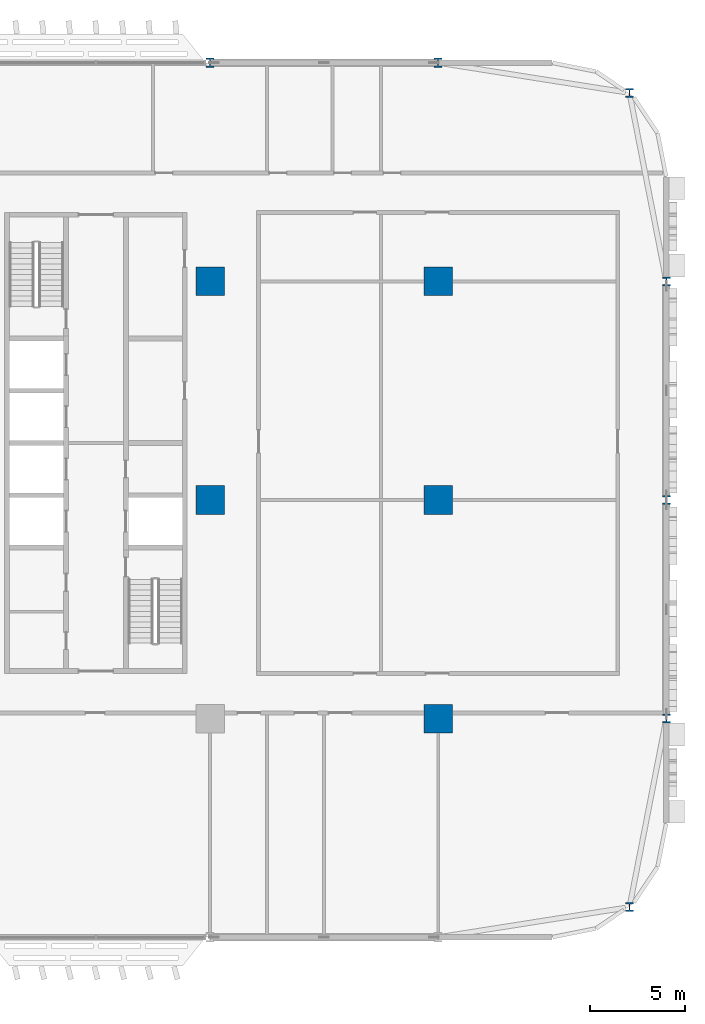
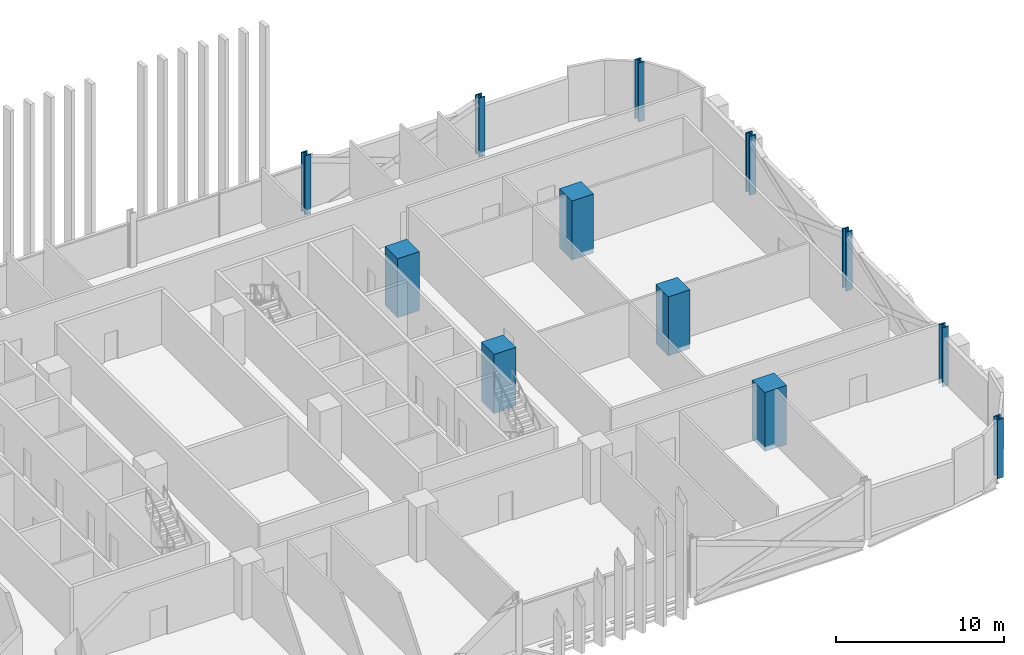
# One storey, part 2 of 29: 12 columns.
"""IFC4 building model written with IfcOpenShell, lengths in metres."""

from ifc_helpers import new_model, si_unit, direction, frame, origin, origin_2d, place, context, subcontext, project, spatial, rectangle, i_section, extrude, material, material_profile, profile_set, type_object, element, save


model = new_model("IFC4")

# Units and contexts
model_context = context("Model", 3, precision=1e-05, world=origin(), true_north=direction((0.0, 1.0)))
body_context = subcontext(model_context, "Body", "Model", "MODEL_VIEW")
ifc_project = project(units=[si_unit("LENGTHUNIT", "METRE"), si_unit("AREAUNIT", "SQUARE_METRE"), si_unit("VOLUMEUNIT", "CUBIC_METRE"), si_unit("PLANEANGLEUNIT", "RADIAN"), si_unit("MASSUNIT", "GRAM", prefix="KILO")], contexts=[model_context])

# Site, building, storey
site_placement = place(None, origin())
site = spatial("IfcSite", under=ifc_project, at=site_placement, CompositionType="ELEMENT")
building_placement = place(site_placement, origin())
building = spatial("IfcBuilding", under=site, at=building_placement, Name="Mahtab Terrace Research Tower", CompositionType="ELEMENT")
storey_placement = place(building_placement, frame((0.0, 0.0, 63.199951171875)))
storey = spatial("IfcBuildingStorey", under=building, at=storey_placement, Name="L14", CompositionType="ELEMENT", Elevation=63.199951171875)

# Columns
ifc_material_1 = material(Name="Concrete C70/85", Category="concrete")
ifc_material_profile_1 = material_profile(ifc_material_1, rectangle(XDim=1.5, YDim=1.5, at=origin_2d()), Name="RC column 1500x1500")
ifc_profile_set_1 = profile_set([ifc_material_profile_1], Name="Concrete C70/85")
column_type_1 = type_object("IfcColumnType", Name="RC column 1500x1500", PredefinedType="COLUMN", material=ifc_profile_set_1)
for number, where, z_axis, x_axis, name in (
    (1, (30.0, 0.0, -0.33984375), (0.0, 0.0, 1.0), (1.0, 0.0, 0.0), "Column RC-7B L14"),
    (2, (30.0, 11.5, -0.33984375), (0.0, 0.0, 1.0), (1.0, 0.0, 0.0), "Column RC-7C L14"),
    (3, (42.0, -11.5, -0.33984375), (0.0, 0.0, 1.0), (1.0, 0.0, 0.0), "Column RC-8A L14"),
    (4, (42.0, 0.0, -0.33984375), (0.0, 0.0, 1.0), (1.0, 0.0, 0.0), "Column RC-8B L14"),
    (5, (42.0, 11.5, -0.33984375), (0.0, 0.0, 1.0), (1.0, 0.0, 0.0), "Column RC-8C L14"),
):
    element("IfcColumn", number, at=place(storey_placement, frame(where, z_axis=z_axis, x_axis=x_axis)), inside=storey, type_object=column_type_1, Name=name, PredefinedType="COLUMN", context=body_context, shape_type="SweptSolid", body=[
        extrude(rectangle(XDim=1.5, YDim=1.5, at=origin_2d()), origin(), (0.0, 0.0, 1.0), 4.2998046875),
    ])
ifc_material_2 = material(Name="Steel ASTM A992 Gr 50", Category="steel")
ifc_material_profile_2 = material_profile(ifc_material_2, i_section(OverallWidth=0.42431640625, OverallDepth=0.47509765625, WebThickness=0.0478515625, FlangeThickness=0.0771484375, at=origin_2d()), Name="W14X426")
ifc_profile_set_2 = profile_set([ifc_material_profile_2], Name="Steel ASTM A992 Gr 50")
column_type_2 = type_object("IfcColumnType", Name="W14x426 column CS14426", PredefinedType="COLUMN", material=ifc_profile_set_2)
for number, where, z_axis, x_axis, name in (
    (6, (52.06201171875, 21.416015625, -0.33984375), (0.0, 0.0, 1.0), (1.0, 0.0, 0.0), "Column SC-023 L14"),
    (7, (42.0, 23.0, -0.33984375), (0.0, 0.0, 1.0), (1.0, 0.0, 0.0), "Column SC-001 L14"),
    (8, (30.0, 23.0, -0.33984375), (0.0, 0.0, 1.0), (1.0, 0.0, 0.0), "Column SC-002 L14"),
    (9, (52.06201171875, -21.416015625, -0.33984375), (0.0, 0.0, 1.0), (1.0, 0.0, 0.0), "Column SC-026 L14"),
    (10, (54.0, -11.5, -0.33984375), (0.0, 0.0, 1.0), (1.0, 0.0, 0.0), "Column SC-027 L14"),
    (11, (54.0, 0.0, -0.33984375), (0.0, 0.0, 1.0), (1.0, 0.0, 0.0), "Column SC-028 L14"),
    (12, (54.0, 11.5, -0.33984375), (0.0, 0.0, 1.0), (1.0, 0.0, 0.0), "Column SC-029 L14"),
):
    element("IfcColumn", number, at=place(storey_placement, frame(where, z_axis=z_axis, x_axis=x_axis)), inside=storey, type_object=column_type_2, Name=name, PredefinedType="COLUMN", context=body_context, shape_type="SweptSolid", body=[
        extrude(i_section(OverallWidth=0.42431640625, OverallDepth=0.47509765625, WebThickness=0.0478515625, FlangeThickness=0.0771484375, at=origin_2d()), origin(), (0.0, 0.0, 1.0), 4.2998046875),
    ])

save(model, "model.ifc")
